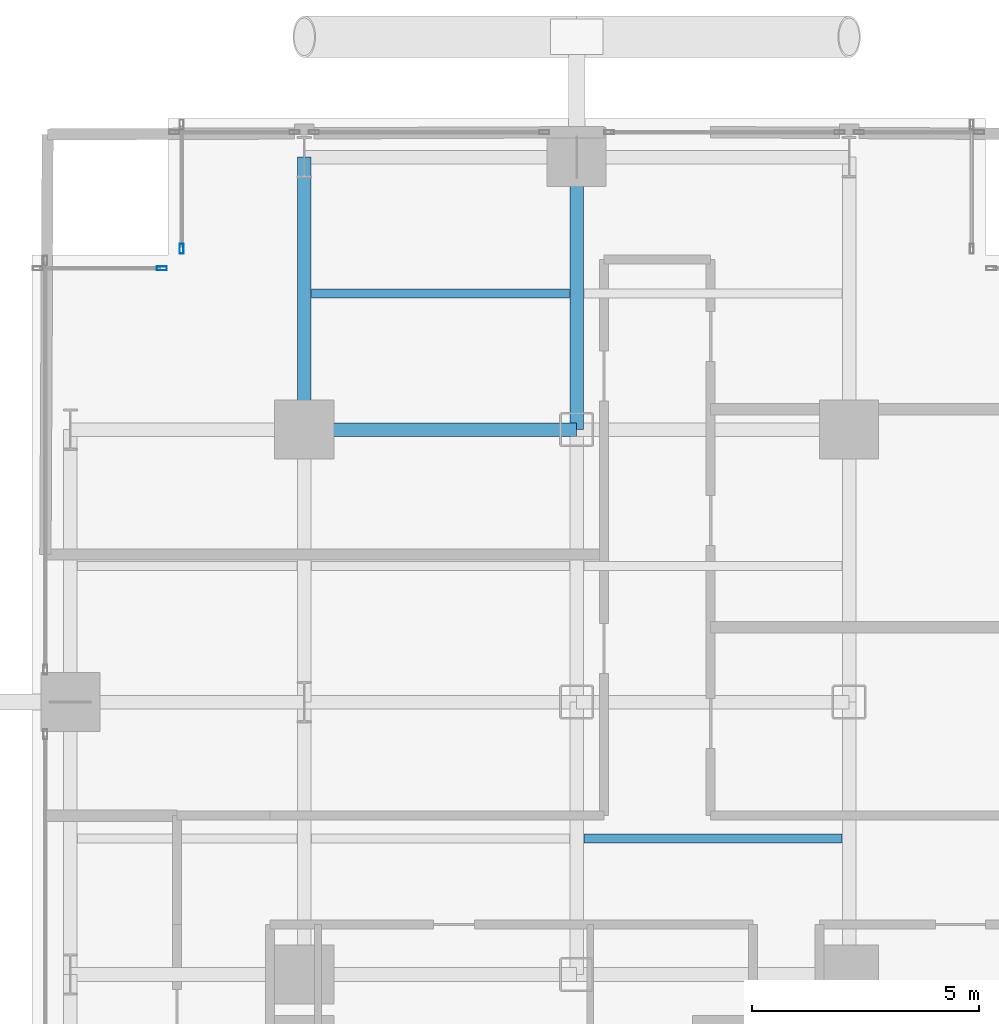
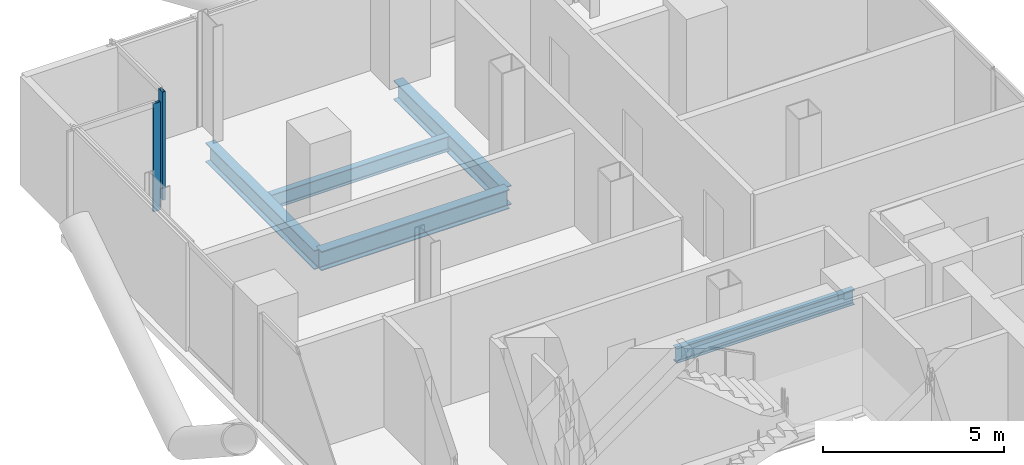
# One storey, part 14 of 25: 5 beams, 2 members, 2 elements without a shape of their own.
"""IFC4 building model written with IfcOpenShell, lengths in metres."""

from ifc_helpers import new_model, si_unit, direction, frame, origin, origin_2d, place, context, subcontext, project, spatial, hollow_rectangle, i_section, extrude, material, layer, layer_set, material_profile, profile_set, type_object, element, aggregate, save


model = new_model("IFC4")

# Units and contexts
model_context = context("Model", 3, precision=1e-05, world=origin(), true_north=direction((0.0, 1.0)))
body_context = subcontext(model_context, "Body", "Model", "MODEL_VIEW")
ifc_project = project(units=[si_unit("LENGTHUNIT", "METRE"), si_unit("AREAUNIT", "SQUARE_METRE"), si_unit("VOLUMEUNIT", "CUBIC_METRE"), si_unit("PLANEANGLEUNIT", "RADIAN"), si_unit("MASSUNIT", "GRAM", prefix="KILO"), si_unit("THERMODYNAMICTEMPERATUREUNIT", "KELVIN"), si_unit("POWERUNIT", "WATT")], contexts=[model_context])

# Site, building, storey
site_placement = place(None, origin())
site = spatial("IfcSite", under=ifc_project, at=site_placement, CompositionType="ELEMENT")
building_placement = place(site_placement, origin())
building = spatial("IfcBuilding", under=site, at=building_placement, Name="Svarakhadi Broadcast Tower", CompositionType="ELEMENT")
storey_placement = place(building_placement, frame((0.0, 0.0, 83.10009765625)))
storey = spatial("IfcBuildingStorey", under=building, at=storey_placement, Name="L19", CompositionType="ELEMENT", Elevation=83.10009765625)

# Beams
ifc_material_1 = material(Name="Steel S355J2 (IS 2062 E350C)", Category="steel")
ifc_material_profile_1 = material_profile(ifc_material_1, i_section(OverallWidth=0.199951171875, OverallDepth=0.5, WebThickness=0.01025390625, FlangeThickness=0.01611328125, FilletRadius=0.02099609375, at=origin_2d()), Name="NPB 500x200x91")
ifc_profile_set_1 = profile_set([ifc_material_profile_1], Name="Steel S355J2 (IS 2062 E350C)")
beam_type_1 = type_object("IfcBeamType", Name="Beam_NPB500", PredefinedType="BEAM", material=ifc_profile_set_1)
for number, where, z_axis, x_axis, name in (
    (1, (6.159912109375, 44.14990234375, -0.5), (1.0, 0.0, 0.0), (0.0, 1.0, 0.0), "L19 Secondary Composite Beam SB012"),
    (2, (12.159912109375, 32.14990234375, -0.5), (1.0, 0.0, 0.0), (0.0, 1.0, 0.0), "L19 Secondary Composite Beam SB016"),
):
    element("IfcBeam", number, at=place(storey_placement, frame(where, z_axis=z_axis, x_axis=x_axis)), inside=storey, type_object=beam_type_1, Name=name, PredefinedType="BEAM", context=body_context, shape_type="SweptSolid", body=[
        extrude(i_section(OverallWidth=0.199951171875, OverallDepth=0.5, WebThickness=0.01025390625, FlangeThickness=0.01611328125, FilletRadius=0.02099609375, at=origin_2d()), origin(), (0.0, 0.0, 1.0), 5.68017578125),
    ])

# Curtain wall, member
ifc_material_2 = material(Name="Anodised Bronze Aluminium AA 6063-T6", Category="aluminium")
ifc_layer = layer(ifc_material_2, 0.219970703125)
ifc_layer_set = layer_set([ifc_layer], Name="Anodised Bronze Aluminium AA 6063-T6")
curtain_wall_type = type_object("IfcCurtainWallType", Name="CW_Sys_02", PredefinedType="NOTDEFINED", material=ifc_layer_set)
curtain_wall_1_placement = place(storey_placement, origin())
curtain_wall_1 = element("IfcCurtainWall", 3, at=curtain_wall_1_placement, inside=storey, type_object=curtain_wall_type, Name="L19 Unitised Facade Curtain Wall 04", PredefinedType="NOTDEFINED")
ifc_material_profile_2 = material_profile(ifc_material_2, hollow_rectangle(XDim=0.0849609375, YDim=0.219970703125, WallThickness=0.006103515625, at=origin_2d()), Name="ALU MULLION 220x85x6")
ifc_profile_set_2 = profile_set([ifc_material_profile_2], Name="Anodised Bronze Aluminium AA 6063-T6")
member_type = type_object("IfcMemberType", Name="CW_Sys_02_Mul", PredefinedType="MULLION", material=ifc_profile_set_2)
member_1_placement = place(storey_placement, frame((2.867431640625, 44.699951171875, 0.0), z_axis=(0.0, 0.0, 1.0), x_axis=(0.0, 1.0, 0.0)))
member_1 = element("IfcMember", 4, at=member_1_placement, type_object=member_type, Name="CW-02 mullion 2", PredefinedType="MULLION", context=body_context, shape_type="SweptSolid", body=[
    extrude(hollow_rectangle(XDim=0.0849609375, YDim=0.219970703125, WallThickness=0.006103515625, at=origin_2d()), origin(), (0.0, 0.0, 1.0), 3.64990234375),
])
aggregate(curtain_wall_1, [member_1])

curtain_wall_2_placement = place(storey_placement, origin())
curtain_wall_2 = element("IfcCurtainWall", 5, at=curtain_wall_2_placement, inside=storey, type_object=curtain_wall_type, Name="L19 Unitised Facade Curtain Wall 05", PredefinedType="NOTDEFINED")
member_2_placement = place(storey_placement, frame((3.300048828125, 45.132568359375, 0.0), z_axis=(0.0, 0.0, 1.0), x_axis=(-1.0, 0.0, 0.0)))
member_2 = element("IfcMember", 6, at=member_2_placement, type_object=member_type, Name="CW-02 mullion 1", PredefinedType="MULLION", context=body_context, shape_type="SweptSolid", body=[
    extrude(hollow_rectangle(XDim=0.0849609375, YDim=0.219970703125, WallThickness=0.006103515625, at=origin_2d()), origin(), (0.0, 0.0, 1.0), 3.64990234375),
])
aggregate(curtain_wall_2, [member_2])

# Beams
ifc_material_profile_3 = material_profile(ifc_material_1, i_section(OverallWidth=0.300048828125, OverallDepth=0.64990234375, WebThickness=0.01611328125, FlangeThickness=0.031005859375, FilletRadius=0.027099609375, at=origin_2d()), Name="WPB 650x300x225")
ifc_profile_set_3 = profile_set([ifc_material_profile_3], Name="Steel S355J2 (IS 2062 E350C)")
beam_type_2 = type_object("IfcBeamType", Name="Girder_WPB650", PredefinedType="USERDEFINED", material=ifc_profile_set_3)
for number, where, z_axis, x_axis, name in (
    (7, (6.0, 41.14990234375, -0.5751953125), (1.0, 0.0, 0.0), (0.0, 1.0, 0.0), "L19 Primary E-W Girder G041"),
    (8, (6.0, 41.14990234375, -0.5751953125), (0.0, 1.0, 0.0), (-1.0, 0.0, 0.0), "L19 Primary N-S Girder G057"),
    (9, (12.0, 41.14990234375, -0.5751953125), (0.0, 1.0, 0.0), (-1.0, 0.0, 0.0), "L19 Primary N-S Girder G063"),
):
    element("IfcBeam", number, at=place(storey_placement, frame(where, z_axis=z_axis, x_axis=x_axis)), inside=storey, type_object=beam_type_2, Name=name, ObjectType="GIRDER", PredefinedType="USERDEFINED", context=body_context, shape_type="SweptSolid", body=[
        extrude(i_section(OverallWidth=0.300048828125, OverallDepth=0.64990234375, WebThickness=0.01611328125, FlangeThickness=0.031005859375, FilletRadius=0.027099609375, at=origin_2d()), origin(), (0.0, 0.0, 1.0), 6.0),
    ])

save(model, "model.ifc")
